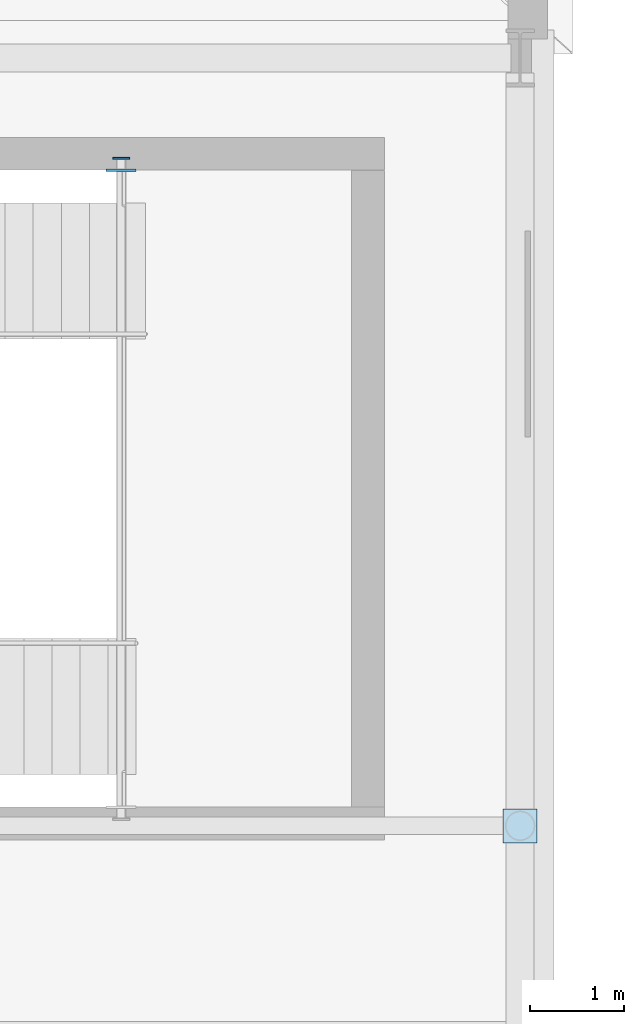
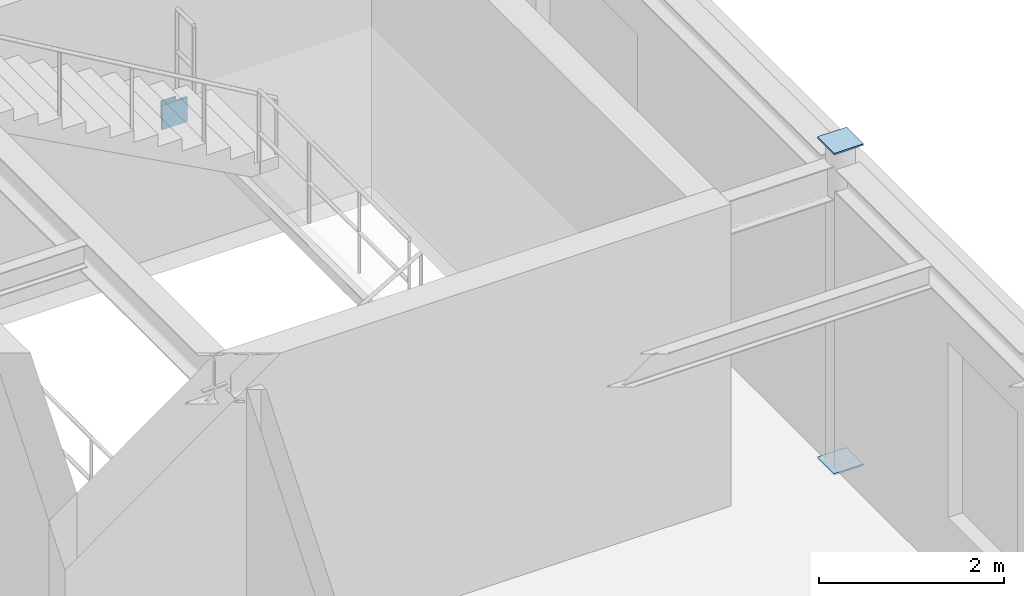
# One storey, part 120 of 148: 4 plates.
"""IFC4 building model written with IfcOpenShell, lengths in metres."""

from ifc_helpers import new_model, si_unit, direction, frame, origin, origin_2d, place, context, subcontext, project, spatial, rectangle, extrude, material, layer, layer_set, type_object, element, save


model = new_model("IFC4")

# Units and contexts
model_context = context("Model", 3, precision=1e-05, world=origin(), true_north=direction((0.0, 1.0)))
body_context = subcontext(model_context, "Body", "Model", "MODEL_VIEW")
ifc_project = project(units=[si_unit("LENGTHUNIT", "METRE"), si_unit("AREAUNIT", "SQUARE_METRE"), si_unit("VOLUMEUNIT", "CUBIC_METRE"), si_unit("PLANEANGLEUNIT", "RADIAN"), si_unit("MASSUNIT", "GRAM", prefix="KILO"), si_unit("THERMODYNAMICTEMPERATUREUNIT", "KELVIN"), si_unit("POWERUNIT", "WATT")], contexts=[model_context])

# Site, building, storey
site_placement = place(None, origin())
site = spatial("IfcSite", under=ifc_project, at=site_placement, CompositionType="ELEMENT")
building_placement = place(site_placement, origin())
building = spatial("IfcBuilding", under=site, at=building_placement, Name="Solvatero Civic Police Headquarters", CompositionType="ELEMENT")
storey_placement = place(building_placement, frame((0.0, 0.0, 5.10009765625)))
storey = spatial("IfcBuildingStorey", under=building, at=storey_placement, Name="L01", CompositionType="ELEMENT", Elevation=5.10009765625)

# Plates
ifc_material = material(Name="Steel S355", Category="steel")
ifc_layer_1 = layer(ifc_material, 0.02001953125)
ifc_layer_set_1 = layer_set([ifc_layer_1], Name="Steel S355")
plate_type_1 = type_object("IfcPlateType", Name="PLT-CAP-20", PredefinedType="SHEET", material=ifc_layer_set_1)
for number, where, z_axis, x_axis, name in (
    (1, (28.199951171875, 75.0, 4.199951171875), (0.0, 0.0, 1.0), (1.0, 0.0, 0.0), "Hollow Section End Cap Plate 0131"),
    (2, (28.199951171875, 75.0, -0.02001953125), (0.0, 0.0, 1.0), (1.0, 0.0, 0.0), "Hollow Section End Cap Plate 0132"),
):
    element("IfcPlate", number, at=place(storey_placement, frame(where, z_axis=z_axis, x_axis=x_axis)), inside=storey, type_object=plate_type_1, Name=name, PredefinedType="SHEET", context=body_context, shape_type="SweptSolid", body=[
        extrude(rectangle(XDim=0.364013671875, YDim=0.364013671875, at=origin_2d()), origin(), (0.0, 0.0, 1.0), 0.02001953125),
    ])
plate_1_placement = place(storey_placement, frame((23.93994140625, 82.1298828125, 1.71484375), z_axis=(0.0, 0.0, 1.0), x_axis=(1.0, 0.0, 0.0)))
element("IfcPlate", 3, at=plate_1_placement, inside=storey, type_object=plate_type_1, Name="Hollow Section Cap Plate 0058", PredefinedType="SHEET", context=body_context, shape_type="SweptSolid", body=[
    extrude(rectangle(XDim=0.179931640625, YDim=0.02001953125, at=origin_2d()), origin(), (0.0, 0.0, 1.0), 0.219970703125),
])
ifc_layer_2 = layer(ifc_material, 0.02490234375)
ifc_layer_set_2 = layer_set([ifc_layer_2], Name="Steel S355")
plate_type_2 = type_object("IfcPlateType", Name="PLT-EMB-25", PredefinedType="SHEET", material=ifc_layer_set_2)
plate_2_placement = place(storey_placement, frame((23.93994140625, 82.0, 1.6650390625), z_axis=(0.0, 0.0, 1.0), x_axis=(1.0, 0.0, 0.0)))
element("IfcPlate", 4, at=plate_2_placement, inside=storey, type_object=plate_type_2, Name="Cast-In Shear Wall Embed Plate 0058", PredefinedType="SHEET", context=body_context, shape_type="SweptSolid", body=[
    extrude(rectangle(XDim=0.320068359375, YDim=0.02490234375, at=origin_2d()), origin(), (0.0, 0.0, 1.0), 0.320068359375),
])

save(model, "model.ifc")
